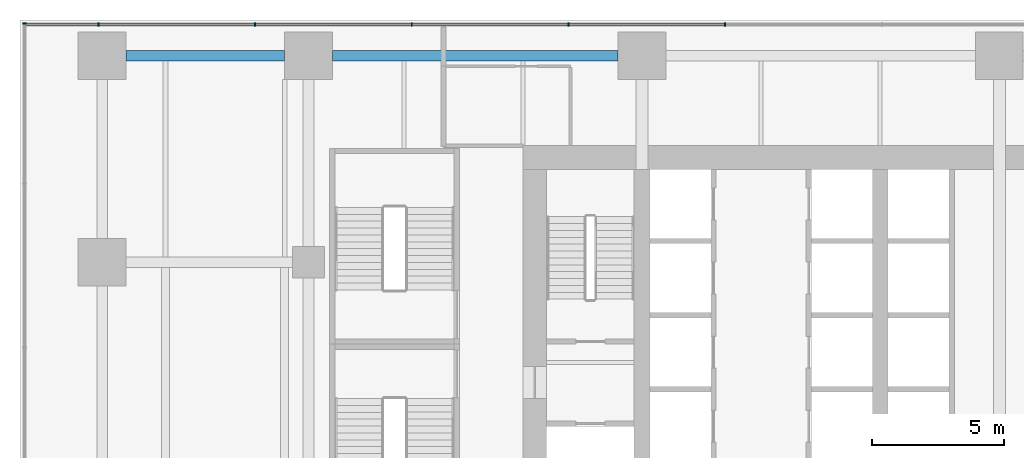
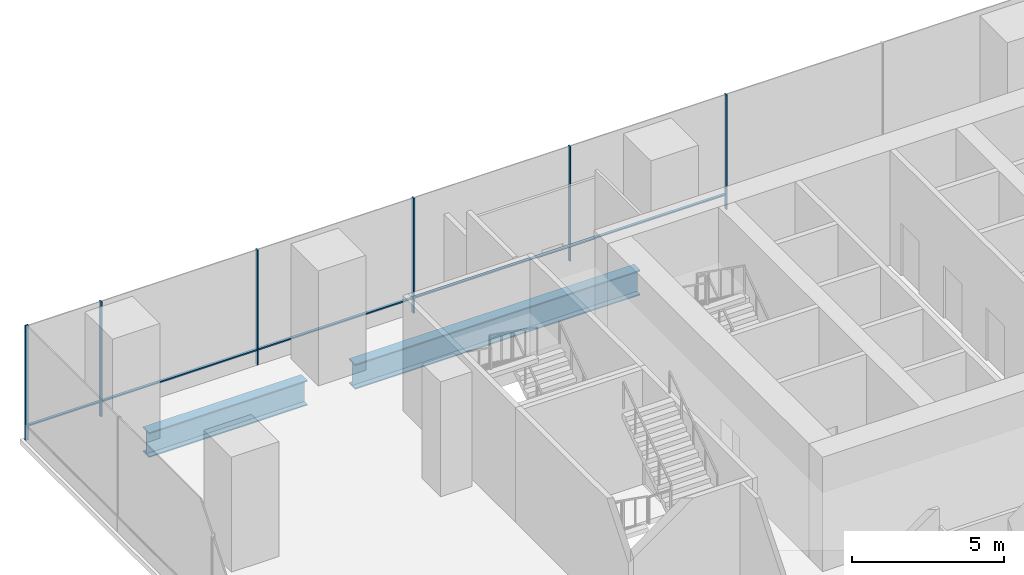
# One storey, part 11 of 29: 11 members, 2 beams, 2 elements without a shape of their own.
"""IFC4 building model written with IfcOpenShell, lengths in metres."""

import ifcopenshell
import ifcopenshell.guid

model = None  # the IFC model being written
_history = None  # IfcOwnerHistory: only IFC2X3 demands one
_inside = {}  # id of a spatial element -> (the spatial element, [elements in it])
_under = {}  # id of a project, library or spatial element -> (it, [spatial elements below it])
_declared = {}  # id of a project -> (the project, [libraries it declares])
_typed = {}  # id of a type object -> (the type object, [elements of that type])
_made_of = {}  # id of a material, layer set ... -> (it, [elements and type objects made of it])


def new_model(schema):
    """Start an empty IFC model of exactly this schema.

    Asked for "IFC4X3", IfcOpenShell would pick the latest addendum, in which some entities
    have other attributes; the version numbers below select the first issue.
    IFC2X3 requires an IfcOwnerHistory on every rooted entity: one is made here for all.
    """
    global model, _history
    if schema == "IFC4X3":
        model = ifcopenshell.file(schema_version=(4, 3, 0, 0))
    else:
        model = ifcopenshell.file(schema=schema)
    _inside.clear()
    _under.clear()
    _declared.clear()
    _typed.clear()
    _made_of.clear()
    _history = None
    if model.schema == "IFC2X3":
        org = make("IfcOrganization", Name="unknown")
        user = make(
            "IfcPersonAndOrganization",
            ThePerson=make("IfcPerson", FamilyName="unknown"),
            TheOrganization=org,
        )
        app = make(
            "IfcApplication",
            ApplicationDeveloper=org,
            Version="unknown",
            ApplicationFullName="unknown",
            ApplicationIdentifier="unknown",
        )
        _history = make(
            "IfcOwnerHistory",
            OwningUser=user,
            OwningApplication=app,
            ChangeAction="ADDED",
            CreationDate=0,
        )
    return model


def make(cls, **values):
    """One entity of the class cls with the attributes given. An attribute that is None is left unset."""
    return model.create_entity(
        cls, **{name: value for name, value in values.items() if value is not None}
    )


def rooted(cls, **values):
    """An entity with a GlobalId (a new one), such as an element, a storey or a relation."""
    return make(cls, GlobalId=ifcopenshell.guid.new(), OwnerHistory=_history, **values)


def si_unit(unit_type, name, prefix=None):
    """IfcSIUnit, for example si_unit("LENGTHUNIT", "METRE", prefix="MILLI")."""
    return make("IfcSIUnit", UnitType=unit_type, Prefix=prefix, Name=name)


def assignment(units):
    """IfcUnitAssignment: the units of a project."""
    return None if units is None else make("IfcUnitAssignment", Units=units)


def point(xyz):
    """IfcCartesianPoint."""
    return None if xyz is None else make("IfcCartesianPoint", Coordinates=xyz)


def direction(xyz):
    """IfcDirection."""
    return None if xyz is None else make("IfcDirection", DirectionRatios=xyz)


def frame(location, z_axis=None, x_axis=None):
    """IfcAxis2Placement3D, a coordinate frame: its origin and axes. An axis left out is left unset."""
    return make(
        "IfcAxis2Placement3D",
        Location=point(location),
        Axis=direction(z_axis),
        RefDirection=direction(x_axis),
    )


def frame_2d(location, x_axis=None):
    """IfcAxis2Placement2D, a coordinate frame in the plane: its origin and x axis."""
    return make(
        "IfcAxis2Placement2D", Location=point(location), RefDirection=direction(x_axis)
    )


def origin():
    """The frame at (0, 0, 0) with its axes left unset."""
    return frame((0.0, 0.0, 0.0))


def origin_2d():
    """The frame at (0, 0) in the plane with its x axis left unset."""
    return frame_2d((0.0, 0.0))


def place(relative_to, where):
    """IfcLocalPlacement: puts the frame where relative to a parent placement (None: the world)."""
    return make(
        "IfcLocalPlacement", PlacementRelTo=relative_to, RelativePlacement=where
    )


def context(
    kind, dimensions, precision=None, world=None, true_north=None, identifier=None
):
    """IfcGeometricRepresentationContext, for example the 3D "Model" context."""
    return make(
        "IfcGeometricRepresentationContext",
        ContextIdentifier=identifier,
        ContextType=kind,
        CoordinateSpaceDimension=dimensions,
        Precision=precision,
        WorldCoordinateSystem=world,
        TrueNorth=true_north,
    )


def subcontext(parent, identifier, kind, view, scale=None):
    """IfcGeometricRepresentationSubContext, for example "Body" below "Model"."""
    return make(
        "IfcGeometricRepresentationSubContext",
        ContextIdentifier=identifier,
        ContextType=kind,
        ParentContext=parent,
        TargetScale=scale,
        TargetView=view,
    )


def project(units=None, contexts=None):
    """IfcProject with its units and contexts."""
    return rooted(
        "IfcProject",
        Name="project",
        RepresentationContexts=contexts,
        UnitsInContext=assignment(units),
    )


def spatial(cls, under=None, at=None, **own):
    """A site, building, storey or space (cls), placed at a placement, below another one or the project."""
    s = rooted(cls, ObjectPlacement=at, **own)
    if under is not None:
        _under.setdefault(under.id(), (under, []))[1].append(s)
    return s


def profile(cls, at=None, kind="AREA", **sizes):
    """A parametric profile (cls). Its sizes go by their IFC names, for example OverallWidth=200.0."""
    return make(cls, ProfileType=kind, Position=at, **sizes)


def rectangle(**sizes):
    """IfcRectangleProfileDef."""
    return profile("IfcRectangleProfileDef", **sizes)


def i_section(**sizes):
    """IfcIShapeProfileDef."""
    return profile("IfcIShapeProfileDef", **sizes)


def extrude(swept, where, along, depth):
    """IfcExtrudedAreaSolid: the profile swept, set in the frame where, extruded along a direction by depth."""
    return make(
        "IfcExtrudedAreaSolid",
        SweptArea=swept,
        Position=where,
        ExtrudedDirection=direction(along),
        Depth=depth,
    )


def shape(context_of_items, identifier, shape_type, items):
    """IfcShapeRepresentation: the items that make up one representation, for example the "Body"."""
    return make(
        "IfcShapeRepresentation",
        ContextOfItems=context_of_items,
        RepresentationIdentifier=identifier,
        RepresentationType=shape_type,
        Items=items,
    )


def material(Name=None, Category=None):
    """IfcMaterial."""
    return make("IfcMaterial", Name=Name, Category=Category)


def layer(
    of_material, thickness, ventilated=None, Name=None, Category=None, Priority=None
):
    """IfcMaterialLayer: one layer of a wall or slab, of a material (None: an air gap)."""
    return make(
        "IfcMaterialLayer",
        Material=of_material,
        LayerThickness=thickness,
        IsVentilated=ventilated,
        Name=Name,
        Category=Category,
        Priority=Priority,
    )


def layer_set(layers, Name=None):
    """IfcMaterialLayerSet."""
    return make("IfcMaterialLayerSet", MaterialLayers=layers, LayerSetName=Name)


def material_profile(
    of_material, cross_section, Name=None, Category=None, Priority=None
):
    """IfcMaterialProfile: a cross section and its material."""
    return make(
        "IfcMaterialProfile",
        Name=Name,
        Material=of_material,
        Profile=cross_section,
        Priority=Priority,
        Category=Category,
    )


def profile_set(profiles, Name=None, composite=None):
    """IfcMaterialProfileSet."""
    return make(
        "IfcMaterialProfileSet",
        Name=Name,
        MaterialProfiles=profiles,
        CompositeProfile=composite,
    )


def made_of(thing, what):
    """Note that an element or type object is made of a material, layer set ...; save() writes the relation."""
    if what is not None:
        _made_of.setdefault(what.id(), (what, []))[1].append(thing)
    return thing


def type_object(cls, material=None, **own):
    """A type object (cls), such as IfcWallType, which elements share."""
    return made_of(rooted(cls, **own), material)


def element(
    cls,
    number,
    at=None,
    inside=None,
    cuts=None,
    type_object=None,
    material=None,
    context=None,
    identifier="Body",
    shape_type=None,
    held_by="IfcProductDefinitionShape",
    body=None,
    shapes=None,
    **own,
):
    """One element of the class cls, such as IfcWall. Its Tag is "e" and its number.

    at: its placement. inside: the storey or other place that contains it. cuts: it is an
    opening in that element (IfcRelVoidsElement). A single representation is given by context,
    identifier, shape_type and body (its items); several are given by shapes. held_by: the class
    of the entity that holds the representations. save() writes the other relations.
    """
    e = rooted(cls, Tag="e%d" % number, ObjectPlacement=at, **own)
    if body is not None:
        shapes = [shape(context, identifier, shape_type, body)]
    if shapes is not None:
        e.Representation = make(held_by, Representations=shapes)
    if inside is not None:
        _inside.setdefault(inside.id(), (inside, []))[1].append(e)
    if cuts is not None:
        rooted(
            "IfcRelVoidsElement", RelatingBuildingElement=cuts, RelatedOpeningElement=e
        )
    if type_object is not None:
        _typed.setdefault(type_object.id(), (type_object, []))[1].append(e)
    return made_of(e, material)


def aggregate(whole, parts):
    """IfcRelAggregates: a whole, such as a stair, and the parts it consists of."""
    return rooted("IfcRelAggregates", RelatingObject=whole, RelatedObjects=parts)


def save(model, path):
    """Write the relations noted so far, then the file.

    IfcRelAggregates (storeys below a building ...), IfcRelContainedInSpatialStructure (elements
    in a storey), IfcRelDefinesByType, IfcRelAssociatesMaterial and IfcRelDeclares: one each for
    every whole, place, type object, material and project.
    """
    for whole, parts in _under.values():
        aggregate(whole, parts)
    for where, things in _inside.values():
        rooted(
            "IfcRelContainedInSpatialStructure",
            RelatedElements=things,
            RelatingStructure=where,
        )
    for kind, things in _typed.values():
        rooted("IfcRelDefinesByType", RelatedObjects=things, RelatingType=kind)
    for what, things in _made_of.values():
        rooted("IfcRelAssociatesMaterial", RelatedObjects=things, RelatingMaterial=what)
    for by, libraries in _declared.values():
        rooted("IfcRelDeclares", RelatingContext=by, RelatedDefinitions=libraries)
    model.write(path)


model = new_model("IFC4")

# Units and contexts
model_context = context("Model", 3, precision=1e-05, world=origin(), true_north=direction((0.0, 1.0)))
body_context = subcontext(model_context, "Body", "Model", "MODEL_VIEW")
ifc_project = project(units=[si_unit("LENGTHUNIT", "METRE"), si_unit("AREAUNIT", "SQUARE_METRE"), si_unit("VOLUMEUNIT", "CUBIC_METRE"), si_unit("PLANEANGLEUNIT", "RADIAN"), si_unit("MASSUNIT", "GRAM", prefix="KILO")], contexts=[model_context])

# Site, building, storey
site_placement = place(None, origin())
site = spatial("IfcSite", under=ifc_project, at=site_placement, CompositionType="ELEMENT")
building_placement = place(site_placement, origin())
building = spatial("IfcBuilding", under=site, at=building_placement, Name="Rattan Terrace Tower", CompositionType="ELEMENT")
storey_placement = place(building_placement, frame((0.0, 0.0, 12.60009765625)))
storey = spatial("IfcBuildingStorey", under=building, at=storey_placement, Name="L02", CompositionType="ELEMENT", Elevation=12.60009765625)

# Beams
ifc_material_1 = material(Name="Steel S460", Category="steel")
ifc_material_profile_1 = material_profile(ifc_material_1, i_section(OverallWidth=0.39990234375, OverallDepth=1.0, WebThickness=0.01806640625, FlangeThickness=0.044921875, at=origin_2d()), Name="PG 1000x400-18-45")
ifc_profile_set_1 = profile_set([ifc_material_profile_1], Name="Steel S460")
beam_type = type_object("IfcBeamType", Name="Frame podium girder PG 1000x400-18-45", PredefinedType="USERDEFINED", material=ifc_profile_set_1)
beam_1_placement = place(storey_placement, frame((-33.0, 10.89990234375, -0.7001953125), z_axis=(1.0, 0.0, 0.0), x_axis=(0.0, 1.0, 0.0)))
element("IfcBeam", 1, at=beam_1_placement, inside=storey, type_object=beam_type, Name="gdr-L02-046", ObjectType="PODIUM GIRDER", PredefinedType="USERDEFINED", context=body_context, shape_type="SweptSolid", body=[
    extrude(i_section(OverallWidth=0.39990234375, OverallDepth=1.0, WebThickness=0.01806640625, FlangeThickness=0.044921875, at=origin_2d()), origin(), (0.0, 0.0, 1.0), 6.0),
])
beam_2_placement = place(storey_placement, frame((-25.199951171875, 10.89990234375, -0.7001953125), z_axis=(1.0, 0.0, 0.0), x_axis=(0.0, 1.0, 0.0)))
element("IfcBeam", 2, at=beam_2_placement, inside=storey, type_object=beam_type, Name="gdr-L02-047", ObjectType="PODIUM GIRDER", PredefinedType="USERDEFINED", context=body_context, shape_type="SweptSolid", body=[
    extrude(i_section(OverallWidth=0.39990234375, OverallDepth=1.0, WebThickness=0.01806640625, FlangeThickness=0.044921875, at=origin_2d()), origin(), (0.0, 0.0, 1.0), 10.800048828125),
])

# Curtain wall, members
ifc_material_2 = material(Name="Aluminium and glass", Category="aluminium")
ifc_layer = layer(ifc_material_2, 0.1201171875)
ifc_layer_set = layer_set([ifc_layer], Name="Station Storefront Curtain Wall")
curtain_wall_type = type_object("IfcCurtainWallType", Name="Station Storefront Curtain Wall", PredefinedType="NOTDEFINED", material=ifc_layer_set)
curtain_wall_1_placement = place(storey_placement, origin())
curtain_wall_1 = element("IfcCurtainWall", 3, at=curtain_wall_1_placement, inside=storey, type_object=curtain_wall_type, Name="Storefront curtain wall L02-2", PredefinedType="NOTDEFINED")
ifc_material_3 = material(Name="Aluminium", Category="aluminium")
ifc_material_profile_2 = material_profile(ifc_material_3, rectangle(XDim=0.050048828125, YDim=0.1201171875, at=origin_2d()), Name="Aluminium 50x120")
ifc_profile_set_2 = profile_set([ifc_material_profile_2], Name="Aluminium")
member_type_1 = type_object("IfcMemberType", Name="Storefront CW Mullion 50x120", PredefinedType="MULLION", material=ifc_profile_set_2)
member_1_placement = place(storey_placement, frame((-10.360107421875, 12.080078125, 0.0), z_axis=(0.0, 0.0, 1.0), x_axis=(-1.0, 0.0, 0.0)))
member_1 = element("IfcMember", 4, at=member_1_placement, type_object=member_type_1, Name="Mullion cwl-L02-002.9", PredefinedType="MULLION", context=body_context, shape_type="SweptSolid", body=[
    extrude(rectangle(XDim=0.050048828125, YDim=0.1201171875, at=origin_2d()), origin(), (0.0, 0.0, 1.0), 4.599853515625),
])
member_2_placement = place(storey_placement, frame((-16.280029296875, 12.080078125, 0.0), z_axis=(0.0, 0.0, 1.0), x_axis=(-1.0, 0.0, 0.0)))
member_2 = element("IfcMember", 5, at=member_2_placement, type_object=member_type_1, Name="Mullion cwl-L02-002.10", PredefinedType="MULLION", context=body_context, shape_type="SweptSolid", body=[
    extrude(rectangle(XDim=0.050048828125, YDim=0.1201171875, at=origin_2d()), origin(), (0.0, 0.0, 1.0), 4.599853515625),
])
member_3_placement = place(storey_placement, frame((-22.199951171875, 12.080078125, 0.0), z_axis=(0.0, 0.0, 1.0), x_axis=(-1.0, 0.0, 0.0)))
member_3 = element("IfcMember", 6, at=member_3_placement, type_object=member_type_1, Name="Mullion cwl-L02-002.11", PredefinedType="MULLION", context=body_context, shape_type="SweptSolid", body=[
    extrude(rectangle(XDim=0.050048828125, YDim=0.1201171875, at=origin_2d()), origin(), (0.0, 0.0, 1.0), 4.599853515625),
])
member_4_placement = place(storey_placement, frame((-28.1201171875, 12.080078125, 0.0), z_axis=(0.0, 0.0, 1.0), x_axis=(-1.0, 0.0, 0.0)))
member_4 = element("IfcMember", 7, at=member_4_placement, type_object=member_type_1, Name="Mullion cwl-L02-002.12", PredefinedType="MULLION", context=body_context, shape_type="SweptSolid", body=[
    extrude(rectangle(XDim=0.050048828125, YDim=0.1201171875, at=origin_2d()), origin(), (0.0, 0.0, 1.0), 4.599853515625),
])
member_5_placement = place(storey_placement, frame((-34.0400390625, 12.080078125, 0.0), z_axis=(0.0, 0.0, 1.0), x_axis=(-1.0, 0.0, 0.0)))
member_5 = element("IfcMember", 8, at=member_5_placement, type_object=member_type_1, Name="Mullion cwl-L02-002.13", PredefinedType="MULLION", context=body_context, shape_type="SweptSolid", body=[
    extrude(rectangle(XDim=0.050048828125, YDim=0.1201171875, at=origin_2d()), origin(), (0.0, 0.0, 1.0), 4.599853515625),
])

# Curtain wall, member
curtain_wall_2_placement = place(storey_placement, origin())
curtain_wall_2 = element("IfcCurtainWall", 9, at=curtain_wall_2_placement, inside=storey, type_object=curtain_wall_type, Name="Storefront curtain wall L02-3", PredefinedType="NOTDEFINED")
member_6_placement = place(storey_placement, frame((-36.830078125, 12.114990234375, 0.0), z_axis=(0.0, 0.0, 1.0), x_axis=(0.0, -1.0, 0.0)))
member_6 = element("IfcMember", 10, at=member_6_placement, type_object=member_type_1, Name="Mullion cwl-L02-003.1", PredefinedType="MULLION", context=body_context, shape_type="SweptSolid", body=[
    extrude(rectangle(XDim=0.050048828125, YDim=0.1201171875, at=origin_2d()), origin(), (0.0, 0.0, 1.0), 4.599853515625),
])
aggregate(curtain_wall_2, [member_6])

# Member
ifc_material_4 = material(Name="Aluminium", Category="aluminium")
ifc_material_profile_3 = material_profile(ifc_material_4, rectangle(XDim=0.10009765625, YDim=0.050048828125, at=origin_2d()), Name="Aluminium 100x50")
ifc_profile_set_3 = profile_set([ifc_material_profile_3], Name="Aluminium")
member_type_2 = type_object("IfcMemberType", Name="Storefront CW Transom 100x50", PredefinedType="USERDEFINED", material=ifc_profile_set_3)
member_7_placement = place(storey_placement, frame((-10.385009765625, 12.080078125, 0.599853515625), z_axis=(-1.0, 0.0, 0.0), x_axis=(0.0, -1.0, 0.0)))
member_7 = element("IfcMember", 11, at=member_7_placement, type_object=member_type_2, Name="Transom cwl-L02-002.9", ObjectType="TRANSOM", PredefinedType="USERDEFINED", context=body_context, shape_type="SweptSolid", body=[
    extrude(rectangle(XDim=0.10009765625, YDim=0.050048828125, at=origin_2d()), origin(), (0.0, 0.0, 1.0), 5.869873046875),
])

member_8_placement = place(storey_placement, frame((-16.304931640625, 12.080078125, 0.599853515625), z_axis=(-1.0, 0.0, 0.0), x_axis=(0.0, -1.0, 0.0)))
member_8 = element("IfcMember", 12, at=member_8_placement, type_object=member_type_2, Name="Transom cwl-L02-002.10", ObjectType="TRANSOM", PredefinedType="USERDEFINED", context=body_context, shape_type="SweptSolid", body=[
    extrude(rectangle(XDim=0.10009765625, YDim=0.050048828125, at=origin_2d()), origin(), (0.0, 0.0, 1.0), 5.8701171875),
])

member_9_placement = place(storey_placement, frame((-22.22509765625, 12.080078125, 0.599853515625), z_axis=(-1.0, 0.0, 0.0), x_axis=(0.0, -1.0, 0.0)))
member_9 = element("IfcMember", 13, at=member_9_placement, type_object=member_type_2, Name="Transom cwl-L02-002.11", ObjectType="TRANSOM", PredefinedType="USERDEFINED", context=body_context, shape_type="SweptSolid", body=[
    extrude(rectangle(XDim=0.10009765625, YDim=0.050048828125, at=origin_2d()), origin(), (0.0, 0.0, 1.0), 5.869873046875),
])

member_10_placement = place(storey_placement, frame((-28.14501953125, 12.080078125, 0.599853515625), z_axis=(-1.0, 0.0, 0.0), x_axis=(0.0, -1.0, 0.0)))
member_10 = element("IfcMember", 14, at=member_10_placement, type_object=member_type_2, Name="Transom cwl-L02-002.12", ObjectType="TRANSOM", PredefinedType="USERDEFINED", context=body_context, shape_type="SweptSolid", body=[
    extrude(rectangle(XDim=0.10009765625, YDim=0.050048828125, at=origin_2d()), origin(), (0.0, 0.0, 1.0), 5.869873046875),
])

member_11_placement = place(storey_placement, frame((-34.06494140625, 12.080078125, 0.599853515625), z_axis=(-1.0, 0.0, 0.0), x_axis=(0.0, -1.0, 0.0)))
member_11 = element("IfcMember", 15, at=member_11_placement, type_object=member_type_2, Name="Transom cwl-L02-002.13", ObjectType="TRANSOM", PredefinedType="USERDEFINED", context=body_context, shape_type="SweptSolid", body=[
    extrude(rectangle(XDim=0.10009765625, YDim=0.050048828125, at=origin_2d()), origin(), (0.0, 0.0, 1.0), 2.705078125),
])

aggregate(curtain_wall_1, [member_1, member_2, member_3, member_4, member_5, member_7, member_8, member_9, member_10, member_11])

save(model, "model.ifc")
